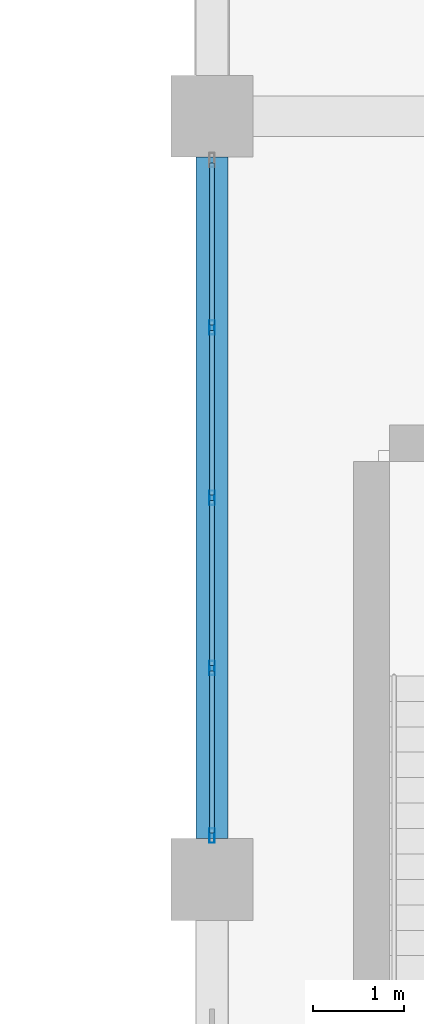
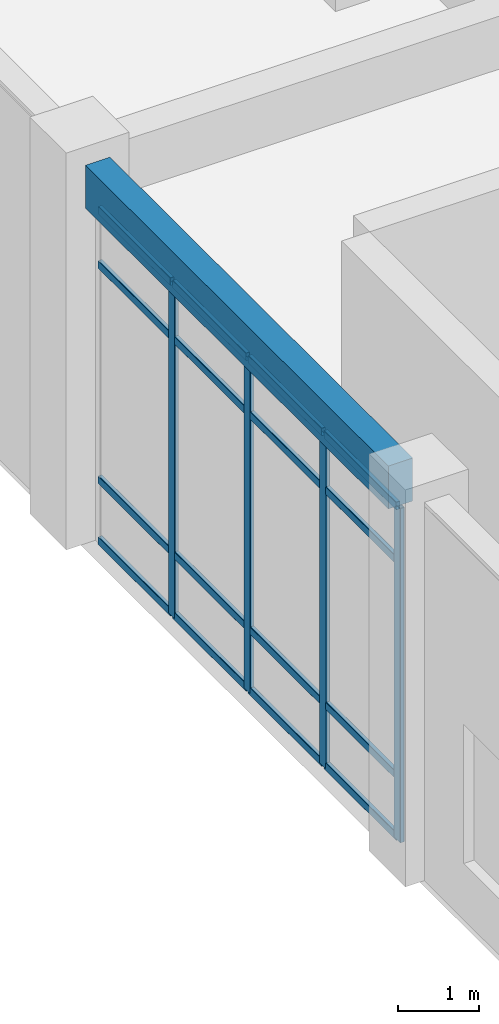
# One storey, part 14 of 82: 20 members, 1 beam, 1 element without a shape of its own.
"""IFC4 building model written with IfcOpenShell, lengths in metres."""

import ifcopenshell
import ifcopenshell.guid

model = None  # the IFC model being written
_history = None  # IfcOwnerHistory: only IFC2X3 demands one
_inside = {}  # id of a spatial element -> (the spatial element, [elements in it])
_under = {}  # id of a project, library or spatial element -> (it, [spatial elements below it])
_declared = {}  # id of a project -> (the project, [libraries it declares])
_typed = {}  # id of a type object -> (the type object, [elements of that type])
_made_of = {}  # id of a material, layer set ... -> (it, [elements and type objects made of it])


def new_model(schema):
    """Start an empty IFC model of exactly this schema.

    Asked for "IFC4X3", IfcOpenShell would pick the latest addendum, in which some entities
    have other attributes; the version numbers below select the first issue.
    IFC2X3 requires an IfcOwnerHistory on every rooted entity: one is made here for all.
    """
    global model, _history
    if schema == "IFC4X3":
        model = ifcopenshell.file(schema_version=(4, 3, 0, 0))
    else:
        model = ifcopenshell.file(schema=schema)
    _inside.clear()
    _under.clear()
    _declared.clear()
    _typed.clear()
    _made_of.clear()
    _history = None
    if model.schema == "IFC2X3":
        org = make("IfcOrganization", Name="unknown")
        user = make(
            "IfcPersonAndOrganization",
            ThePerson=make("IfcPerson", FamilyName="unknown"),
            TheOrganization=org,
        )
        app = make(
            "IfcApplication",
            ApplicationDeveloper=org,
            Version="unknown",
            ApplicationFullName="unknown",
            ApplicationIdentifier="unknown",
        )
        _history = make(
            "IfcOwnerHistory",
            OwningUser=user,
            OwningApplication=app,
            ChangeAction="ADDED",
            CreationDate=0,
        )
    return model


def make(cls, **values):
    """One entity of the class cls with the attributes given. An attribute that is None is left unset."""
    return model.create_entity(
        cls, **{name: value for name, value in values.items() if value is not None}
    )


def rooted(cls, **values):
    """An entity with a GlobalId (a new one), such as an element, a storey or a relation."""
    return make(cls, GlobalId=ifcopenshell.guid.new(), OwnerHistory=_history, **values)


def si_unit(unit_type, name, prefix=None):
    """IfcSIUnit, for example si_unit("LENGTHUNIT", "METRE", prefix="MILLI")."""
    return make("IfcSIUnit", UnitType=unit_type, Prefix=prefix, Name=name)


def derived_unit(unit_type, elements):
    """IfcDerivedUnit: a product of units, each with its exponent."""
    return make(
        "IfcDerivedUnit",
        Elements=[
            make("IfcDerivedUnitElement", Unit=unit, Exponent=power)
            for unit, power in elements
        ],
        UnitType=unit_type,
    )


def assignment(units):
    """IfcUnitAssignment: the units of a project."""
    return None if units is None else make("IfcUnitAssignment", Units=units)


def point(xyz):
    """IfcCartesianPoint."""
    return None if xyz is None else make("IfcCartesianPoint", Coordinates=xyz)


def direction(xyz):
    """IfcDirection."""
    return None if xyz is None else make("IfcDirection", DirectionRatios=xyz)


def frame(location, z_axis=None, x_axis=None):
    """IfcAxis2Placement3D, a coordinate frame: its origin and axes. An axis left out is left unset."""
    return make(
        "IfcAxis2Placement3D",
        Location=point(location),
        Axis=direction(z_axis),
        RefDirection=direction(x_axis),
    )


def frame_2d(location, x_axis=None):
    """IfcAxis2Placement2D, a coordinate frame in the plane: its origin and x axis."""
    return make(
        "IfcAxis2Placement2D", Location=point(location), RefDirection=direction(x_axis)
    )


def origin():
    """The frame at (0, 0, 0) with its axes left unset."""
    return frame((0.0, 0.0, 0.0))


def origin_2d():
    """The frame at (0, 0) in the plane with its x axis left unset."""
    return frame_2d((0.0, 0.0))


def place(relative_to, where):
    """IfcLocalPlacement: puts the frame where relative to a parent placement (None: the world)."""
    return make(
        "IfcLocalPlacement", PlacementRelTo=relative_to, RelativePlacement=where
    )


def context(
    kind, dimensions, precision=None, world=None, true_north=None, identifier=None
):
    """IfcGeometricRepresentationContext, for example the 3D "Model" context."""
    return make(
        "IfcGeometricRepresentationContext",
        ContextIdentifier=identifier,
        ContextType=kind,
        CoordinateSpaceDimension=dimensions,
        Precision=precision,
        WorldCoordinateSystem=world,
        TrueNorth=true_north,
    )


def subcontext(parent, identifier, kind, view, scale=None):
    """IfcGeometricRepresentationSubContext, for example "Body" below "Model"."""
    return make(
        "IfcGeometricRepresentationSubContext",
        ContextIdentifier=identifier,
        ContextType=kind,
        ParentContext=parent,
        TargetScale=scale,
        TargetView=view,
    )


def project(units=None, contexts=None):
    """IfcProject with its units and contexts."""
    return rooted(
        "IfcProject",
        Name="project",
        RepresentationContexts=contexts,
        UnitsInContext=assignment(units),
    )


def spatial(cls, under=None, at=None, **own):
    """A site, building, storey or space (cls), placed at a placement, below another one or the project."""
    s = rooted(cls, ObjectPlacement=at, **own)
    if under is not None:
        _under.setdefault(under.id(), (under, []))[1].append(s)
    return s


def profile(cls, at=None, kind="AREA", **sizes):
    """A parametric profile (cls). Its sizes go by their IFC names, for example OverallWidth=200.0."""
    return make(cls, ProfileType=kind, Position=at, **sizes)


def rectangle(**sizes):
    """IfcRectangleProfileDef."""
    return profile("IfcRectangleProfileDef", **sizes)


def hollow_rectangle(**sizes):
    """IfcRectangleHollowProfileDef."""
    return profile("IfcRectangleHollowProfileDef", **sizes)


def extrude(swept, where, along, depth):
    """IfcExtrudedAreaSolid: the profile swept, set in the frame where, extruded along a direction by depth."""
    return make(
        "IfcExtrudedAreaSolid",
        SweptArea=swept,
        Position=where,
        ExtrudedDirection=direction(along),
        Depth=depth,
    )


def shape(context_of_items, identifier, shape_type, items):
    """IfcShapeRepresentation: the items that make up one representation, for example the "Body"."""
    return make(
        "IfcShapeRepresentation",
        ContextOfItems=context_of_items,
        RepresentationIdentifier=identifier,
        RepresentationType=shape_type,
        Items=items,
    )


def material(Name=None, Category=None):
    """IfcMaterial."""
    return make("IfcMaterial", Name=Name, Category=Category)


def layer(
    of_material, thickness, ventilated=None, Name=None, Category=None, Priority=None
):
    """IfcMaterialLayer: one layer of a wall or slab, of a material (None: an air gap)."""
    return make(
        "IfcMaterialLayer",
        Material=of_material,
        LayerThickness=thickness,
        IsVentilated=ventilated,
        Name=Name,
        Category=Category,
        Priority=Priority,
    )


def layer_set(layers, Name=None):
    """IfcMaterialLayerSet."""
    return make("IfcMaterialLayerSet", MaterialLayers=layers, LayerSetName=Name)


def material_profile(
    of_material, cross_section, Name=None, Category=None, Priority=None
):
    """IfcMaterialProfile: a cross section and its material."""
    return make(
        "IfcMaterialProfile",
        Name=Name,
        Material=of_material,
        Profile=cross_section,
        Priority=Priority,
        Category=Category,
    )


def profile_set(profiles, Name=None, composite=None):
    """IfcMaterialProfileSet."""
    return make(
        "IfcMaterialProfileSet",
        Name=Name,
        MaterialProfiles=profiles,
        CompositeProfile=composite,
    )


def made_of(thing, what):
    """Note that an element or type object is made of a material, layer set ...; save() writes the relation."""
    if what is not None:
        _made_of.setdefault(what.id(), (what, []))[1].append(thing)
    return thing


def type_object(cls, material=None, **own):
    """A type object (cls), such as IfcWallType, which elements share."""
    return made_of(rooted(cls, **own), material)


def element(
    cls,
    number,
    at=None,
    inside=None,
    cuts=None,
    type_object=None,
    material=None,
    context=None,
    identifier="Body",
    shape_type=None,
    held_by="IfcProductDefinitionShape",
    body=None,
    shapes=None,
    **own,
):
    """One element of the class cls, such as IfcWall. Its Tag is "e" and its number.

    at: its placement. inside: the storey or other place that contains it. cuts: it is an
    opening in that element (IfcRelVoidsElement). A single representation is given by context,
    identifier, shape_type and body (its items); several are given by shapes. held_by: the class
    of the entity that holds the representations. save() writes the other relations.
    """
    e = rooted(cls, Tag="e%d" % number, ObjectPlacement=at, **own)
    if body is not None:
        shapes = [shape(context, identifier, shape_type, body)]
    if shapes is not None:
        e.Representation = make(held_by, Representations=shapes)
    if inside is not None:
        _inside.setdefault(inside.id(), (inside, []))[1].append(e)
    if cuts is not None:
        rooted(
            "IfcRelVoidsElement", RelatingBuildingElement=cuts, RelatedOpeningElement=e
        )
    if type_object is not None:
        _typed.setdefault(type_object.id(), (type_object, []))[1].append(e)
    return made_of(e, material)


def aggregate(whole, parts):
    """IfcRelAggregates: a whole, such as a stair, and the parts it consists of."""
    return rooted("IfcRelAggregates", RelatingObject=whole, RelatedObjects=parts)


def save(model, path):
    """Write the relations noted so far, then the file.

    IfcRelAggregates (storeys below a building ...), IfcRelContainedInSpatialStructure (elements
    in a storey), IfcRelDefinesByType, IfcRelAssociatesMaterial and IfcRelDeclares: one each for
    every whole, place, type object, material and project.
    """
    for whole, parts in _under.values():
        aggregate(whole, parts)
    for where, things in _inside.values():
        rooted(
            "IfcRelContainedInSpatialStructure",
            RelatedElements=things,
            RelatingStructure=where,
        )
    for kind, things in _typed.values():
        rooted("IfcRelDefinesByType", RelatedObjects=things, RelatingType=kind)
    for what, things in _made_of.values():
        rooted("IfcRelAssociatesMaterial", RelatedObjects=things, RelatingMaterial=what)
    for by, libraries in _declared.values():
        rooted("IfcRelDeclares", RelatingContext=by, RelatedDefinitions=libraries)
    model.write(path)


model = new_model("IFC4")

# Units and contexts
model_context = context("Model", 3, precision=1e-05, world=origin(), true_north=direction((0.0, 1.0)))
body_context = subcontext(model_context, "Body", "Model", "MODEL_VIEW")
ifc_project = project(units=[si_unit("LENGTHUNIT", "METRE"), si_unit("AREAUNIT", "SQUARE_METRE"), si_unit("VOLUMEUNIT", "CUBIC_METRE"), si_unit("PLANEANGLEUNIT", "RADIAN"), si_unit("MASSUNIT", "GRAM", prefix="KILO"), derived_unit("THERMALTRANSMITTANCEUNIT", [(si_unit("MASSUNIT", "GRAM", prefix="KILO"), 1), (si_unit("TIMEUNIT", "SECOND"), -3), (si_unit("THERMODYNAMICTEMPERATUREUNIT", "KELVIN"), -1)])], contexts=[model_context])

# Site, building, storey
site_placement = place(None, origin())
site = spatial("IfcSite", under=ifc_project, at=site_placement, CompositionType="ELEMENT")
building_placement = place(site_placement, origin())
building = spatial("IfcBuilding", under=site, at=building_placement, Name="Qinzheling Arcade Emporium", CompositionType="ELEMENT")
storey_placement = place(building_placement, origin())
storey = spatial("IfcBuildingStorey", under=building, at=storey_placement, Name="L01", CompositionType="ELEMENT", Elevation=0.0)

# Curtain wall, members
ifc_material_1 = material(Name="Anodised aluminium and solar-control double glazing", Category="aluminium")
ifc_layer = layer(ifc_material_1, 0.159912109375, Name="Anodised aluminium and solar-control double glazing", Category="aluminium")
ifc_layer_set = layer_set([ifc_layer], Name="Anodised aluminium and solar-control double glazing")
curtain_wall_type = type_object("IfcCurtainWallType", Name="Street Arcade Stick Curtain Wall", PredefinedType="NOTDEFINED", material=ifc_layer_set)
curtain_wall_placement = place(storey_placement, origin())
curtain_wall = element("IfcCurtainWall", 1, at=curtain_wall_placement, inside=storey, type_object=curtain_wall_type, Name="Curtain Wall CW-L01-010", PredefinedType="NOTDEFINED")
ifc_material_2 = material(Name="Anodised aluminium 6063-T6", Category="aluminium")
ifc_material_profile_1 = material_profile(ifc_material_2, hollow_rectangle(XDim=0.06005859375, YDim=0.159912109375, WallThickness=0.00390625, InnerFilletRadius=0.00390625, OuterFilletRadius=0.008056640625, at=origin_2d()), Name="RHS 160x60x4", Category="aluminium")
ifc_profile_set_1 = profile_set([ifc_material_profile_1], Name="Anodised aluminium 6063-T6")
member_type_1 = type_object("IfcMemberType", Name="Curtain Wall Mullion RHS160x60", PredefinedType="MULLION", material=ifc_profile_set_1)
member_1_placement = place(storey_placement, frame((104.39990234375, 8.882080078125, 0.0), z_axis=(0.0, 0.0, 1.0), x_axis=(-1.0, 0.0, 0.0)))
member_1 = element("IfcMember", 2, at=member_1_placement, type_object=member_type_1, Name="CW01 mullion 1", PredefinedType="MULLION", context=body_context, shape_type="SweptSolid", body=[
    extrude(hollow_rectangle(XDim=0.06005859375, YDim=0.159912109375, WallThickness=0.00390625, InnerFilletRadius=0.00390625, OuterFilletRadius=0.008056640625, at=origin_2d()), origin(), (0.0, 0.0, 1.0), 5.054931640625),
])
member_2_placement = place(storey_placement, frame((104.39990234375, 10.72607421875, 0.0), z_axis=(0.0, 0.0, 1.0), x_axis=(-1.0, 0.0, 0.0)))
member_2 = element("IfcMember", 3, at=member_2_placement, type_object=member_type_1, Name="CW01 mullion 2", PredefinedType="MULLION", context=body_context, shape_type="SweptSolid", body=[
    extrude(hollow_rectangle(XDim=0.06005859375, YDim=0.159912109375, WallThickness=0.00390625, InnerFilletRadius=0.00390625, OuterFilletRadius=0.008056640625, at=origin_2d()), origin(), (0.0, 0.0, 1.0), 5.054931640625),
])
member_3_placement = place(storey_placement, frame((104.39990234375, 12.60009765625, 0.0), z_axis=(0.0, 0.0, 1.0), x_axis=(-1.0, 0.0, 0.0)))
member_3 = element("IfcMember", 4, at=member_3_placement, type_object=member_type_1, Name="CW01 mullion 3", PredefinedType="MULLION", context=body_context, shape_type="SweptSolid", body=[
    extrude(hollow_rectangle(XDim=0.06005859375, YDim=0.159912109375, WallThickness=0.00390625, InnerFilletRadius=0.00390625, OuterFilletRadius=0.008056640625, at=origin_2d()), origin(), (0.0, 0.0, 1.0), 5.054931640625),
])
member_4_placement = place(storey_placement, frame((104.39990234375, 14.47412109375, 0.0), z_axis=(0.0, 0.0, 1.0), x_axis=(-1.0, 0.0, 0.0)))
member_4 = element("IfcMember", 5, at=member_4_placement, type_object=member_type_1, Name="CW01 mullion 4", PredefinedType="MULLION", context=body_context, shape_type="SweptSolid", body=[
    extrude(hollow_rectangle(XDim=0.06005859375, YDim=0.159912109375, WallThickness=0.00390625, InnerFilletRadius=0.00390625, OuterFilletRadius=0.008056640625, at=origin_2d()), origin(), (0.0, 0.0, 1.0), 5.054931640625),
])
ifc_material_profile_2 = material_profile(ifc_material_2, hollow_rectangle(XDim=0.06005859375, YDim=0.1201171875, WallThickness=0.00390625, InnerFilletRadius=0.00390625, OuterFilletRadius=0.008056640625, at=origin_2d()), Name="RHS 120x60x4", Category="aluminium")
ifc_profile_set_2 = profile_set([ifc_material_profile_2], Name="Anodised aluminium 6063-T6")
member_type_2 = type_object("IfcMemberType", Name="Curtain Wall Transom RHS120x60", PredefinedType="USERDEFINED", material=ifc_profile_set_2)
member_5_placement = place(storey_placement, frame((104.39990234375, 8.912109375, 0.030029296875), z_axis=(0.0, 1.0, 0.0), x_axis=(-1.0, 0.0, 0.0)))
member_5 = element("IfcMember", 6, at=member_5_placement, type_object=member_type_2, Name="CW01 transom 1.1", ObjectType="TRANSOM", PredefinedType="USERDEFINED", context=body_context, shape_type="SweptSolid", body=[
    extrude(hollow_rectangle(XDim=0.06005859375, YDim=0.1201171875, WallThickness=0.00390625, InnerFilletRadius=0.00390625, OuterFilletRadius=0.008056640625, at=origin_2d()), origin(), (0.0, 0.0, 1.0), 1.783935546875),
])
member_6_placement = place(storey_placement, frame((104.39990234375, 8.912109375, 0.949951171875), z_axis=(0.0, 1.0, 0.0), x_axis=(-1.0, 0.0, 0.0)))
member_6 = element("IfcMember", 7, at=member_6_placement, type_object=member_type_2, Name="CW01 transom 1.2", ObjectType="TRANSOM", PredefinedType="USERDEFINED", context=body_context, shape_type="SweptSolid", body=[
    extrude(hollow_rectangle(XDim=0.06005859375, YDim=0.1201171875, WallThickness=0.00390625, InnerFilletRadius=0.00390625, OuterFilletRadius=0.008056640625, at=origin_2d()), origin(), (0.0, 0.0, 1.0), 1.783935546875),
])
member_7_placement = place(storey_placement, frame((104.39990234375, 8.912109375, 4.205078125), z_axis=(0.0, 1.0, 0.0), x_axis=(-1.0, 0.0, 0.0)))
member_7 = element("IfcMember", 8, at=member_7_placement, type_object=member_type_2, Name="CW01 transom 1.3", ObjectType="TRANSOM", PredefinedType="USERDEFINED", context=body_context, shape_type="SweptSolid", body=[
    extrude(hollow_rectangle(XDim=0.06005859375, YDim=0.1201171875, WallThickness=0.00390625, InnerFilletRadius=0.00390625, OuterFilletRadius=0.008056640625, at=origin_2d()), origin(), (0.0, 0.0, 1.0), 1.783935546875),
])
member_8_placement = place(storey_placement, frame((104.39990234375, 8.912109375, 5.02490234375), z_axis=(0.0, 1.0, 0.0), x_axis=(-1.0, 0.0, 0.0)))
member_8 = element("IfcMember", 9, at=member_8_placement, type_object=member_type_2, Name="CW01 transom 1.4", ObjectType="TRANSOM", PredefinedType="USERDEFINED", context=body_context, shape_type="SweptSolid", body=[
    extrude(hollow_rectangle(XDim=0.06005859375, YDim=0.1201171875, WallThickness=0.00390625, InnerFilletRadius=0.00390625, OuterFilletRadius=0.008056640625, at=origin_2d()), origin(), (0.0, 0.0, 1.0), 1.783935546875),
])
member_9_placement = place(storey_placement, frame((104.39990234375, 10.756103515625, 0.030029296875), z_axis=(0.0, 1.0, 0.0), x_axis=(-1.0, 0.0, 0.0)))
member_9 = element("IfcMember", 10, at=member_9_placement, type_object=member_type_2, Name="CW01 transom 2.1", ObjectType="TRANSOM", PredefinedType="USERDEFINED", context=body_context, shape_type="SweptSolid", body=[
    extrude(hollow_rectangle(XDim=0.06005859375, YDim=0.1201171875, WallThickness=0.00390625, InnerFilletRadius=0.00390625, OuterFilletRadius=0.008056640625, at=origin_2d()), origin(), (0.0, 0.0, 1.0), 1.81396484375),
])
member_10_placement = place(storey_placement, frame((104.39990234375, 10.756103515625, 0.949951171875), z_axis=(0.0, 1.0, 0.0), x_axis=(-1.0, 0.0, 0.0)))
member_10 = element("IfcMember", 11, at=member_10_placement, type_object=member_type_2, Name="CW01 transom 2.2", ObjectType="TRANSOM", PredefinedType="USERDEFINED", context=body_context, shape_type="SweptSolid", body=[
    extrude(hollow_rectangle(XDim=0.06005859375, YDim=0.1201171875, WallThickness=0.00390625, InnerFilletRadius=0.00390625, OuterFilletRadius=0.008056640625, at=origin_2d()), origin(), (0.0, 0.0, 1.0), 1.81396484375),
])
member_11_placement = place(storey_placement, frame((104.39990234375, 10.756103515625, 4.205078125), z_axis=(0.0, 1.0, 0.0), x_axis=(-1.0, 0.0, 0.0)))
member_11 = element("IfcMember", 12, at=member_11_placement, type_object=member_type_2, Name="CW01 transom 2.3", ObjectType="TRANSOM", PredefinedType="USERDEFINED", context=body_context, shape_type="SweptSolid", body=[
    extrude(hollow_rectangle(XDim=0.06005859375, YDim=0.1201171875, WallThickness=0.00390625, InnerFilletRadius=0.00390625, OuterFilletRadius=0.008056640625, at=origin_2d()), origin(), (0.0, 0.0, 1.0), 1.81396484375),
])
member_12_placement = place(storey_placement, frame((104.39990234375, 10.756103515625, 5.02490234375), z_axis=(0.0, 1.0, 0.0), x_axis=(-1.0, 0.0, 0.0)))
member_12 = element("IfcMember", 13, at=member_12_placement, type_object=member_type_2, Name="CW01 transom 2.4", ObjectType="TRANSOM", PredefinedType="USERDEFINED", context=body_context, shape_type="SweptSolid", body=[
    extrude(hollow_rectangle(XDim=0.06005859375, YDim=0.1201171875, WallThickness=0.00390625, InnerFilletRadius=0.00390625, OuterFilletRadius=0.008056640625, at=origin_2d()), origin(), (0.0, 0.0, 1.0), 1.81396484375),
])
member_13_placement = place(storey_placement, frame((104.39990234375, 12.6298828125, 0.030029296875), z_axis=(0.0, 1.0, 0.0), x_axis=(-1.0, 0.0, 0.0)))
member_13 = element("IfcMember", 14, at=member_13_placement, type_object=member_type_2, Name="CW01 transom 3.1", ObjectType="TRANSOM", PredefinedType="USERDEFINED", context=body_context, shape_type="SweptSolid", body=[
    extrude(hollow_rectangle(XDim=0.06005859375, YDim=0.1201171875, WallThickness=0.00390625, InnerFilletRadius=0.00390625, OuterFilletRadius=0.008056640625, at=origin_2d()), origin(), (0.0, 0.0, 1.0), 1.814208984375),
])
member_14_placement = place(storey_placement, frame((104.39990234375, 12.6298828125, 0.949951171875), z_axis=(0.0, 1.0, 0.0), x_axis=(-1.0, 0.0, 0.0)))
member_14 = element("IfcMember", 15, at=member_14_placement, type_object=member_type_2, Name="CW01 transom 3.2", ObjectType="TRANSOM", PredefinedType="USERDEFINED", context=body_context, shape_type="SweptSolid", body=[
    extrude(hollow_rectangle(XDim=0.06005859375, YDim=0.1201171875, WallThickness=0.00390625, InnerFilletRadius=0.00390625, OuterFilletRadius=0.008056640625, at=origin_2d()), origin(), (0.0, 0.0, 1.0), 1.814208984375),
])
member_15_placement = place(storey_placement, frame((104.39990234375, 12.6298828125, 4.205078125), z_axis=(0.0, 1.0, 0.0), x_axis=(-1.0, 0.0, 0.0)))
member_15 = element("IfcMember", 16, at=member_15_placement, type_object=member_type_2, Name="CW01 transom 3.3", ObjectType="TRANSOM", PredefinedType="USERDEFINED", context=body_context, shape_type="SweptSolid", body=[
    extrude(hollow_rectangle(XDim=0.06005859375, YDim=0.1201171875, WallThickness=0.00390625, InnerFilletRadius=0.00390625, OuterFilletRadius=0.008056640625, at=origin_2d()), origin(), (0.0, 0.0, 1.0), 1.814208984375),
])
member_16_placement = place(storey_placement, frame((104.39990234375, 12.6298828125, 5.02490234375), z_axis=(0.0, 1.0, 0.0), x_axis=(-1.0, 0.0, 0.0)))
member_16 = element("IfcMember", 17, at=member_16_placement, type_object=member_type_2, Name="CW01 transom 3.4", ObjectType="TRANSOM", PredefinedType="USERDEFINED", context=body_context, shape_type="SweptSolid", body=[
    extrude(hollow_rectangle(XDim=0.06005859375, YDim=0.1201171875, WallThickness=0.00390625, InnerFilletRadius=0.00390625, OuterFilletRadius=0.008056640625, at=origin_2d()), origin(), (0.0, 0.0, 1.0), 1.814208984375),
])
member_17_placement = place(storey_placement, frame((104.39990234375, 14.50390625, 0.030029296875), z_axis=(0.0, 1.0, 0.0), x_axis=(-1.0, 0.0, 0.0)))
member_17 = element("IfcMember", 18, at=member_17_placement, type_object=member_type_2, Name="CW01 transom 4.1", ObjectType="TRANSOM", PredefinedType="USERDEFINED", context=body_context, shape_type="SweptSolid", body=[
    extrude(hollow_rectangle(XDim=0.06005859375, YDim=0.1201171875, WallThickness=0.00390625, InnerFilletRadius=0.00390625, OuterFilletRadius=0.008056640625, at=origin_2d()), origin(), (0.0, 0.0, 1.0), 1.7841796875),
])
member_18_placement = place(storey_placement, frame((104.39990234375, 14.50390625, 0.949951171875), z_axis=(0.0, 1.0, 0.0), x_axis=(-1.0, 0.0, 0.0)))
member_18 = element("IfcMember", 19, at=member_18_placement, type_object=member_type_2, Name="CW01 transom 4.2", ObjectType="TRANSOM", PredefinedType="USERDEFINED", context=body_context, shape_type="SweptSolid", body=[
    extrude(hollow_rectangle(XDim=0.06005859375, YDim=0.1201171875, WallThickness=0.00390625, InnerFilletRadius=0.00390625, OuterFilletRadius=0.008056640625, at=origin_2d()), origin(), (0.0, 0.0, 1.0), 1.7841796875),
])
member_19_placement = place(storey_placement, frame((104.39990234375, 14.50390625, 4.205078125), z_axis=(0.0, 1.0, 0.0), x_axis=(-1.0, 0.0, 0.0)))
member_19 = element("IfcMember", 20, at=member_19_placement, type_object=member_type_2, Name="CW01 transom 4.3", ObjectType="TRANSOM", PredefinedType="USERDEFINED", context=body_context, shape_type="SweptSolid", body=[
    extrude(hollow_rectangle(XDim=0.06005859375, YDim=0.1201171875, WallThickness=0.00390625, InnerFilletRadius=0.00390625, OuterFilletRadius=0.008056640625, at=origin_2d()), origin(), (0.0, 0.0, 1.0), 1.7841796875),
])
member_20_placement = place(storey_placement, frame((104.39990234375, 14.50390625, 5.02490234375), z_axis=(0.0, 1.0, 0.0), x_axis=(-1.0, 0.0, 0.0)))
member_20 = element("IfcMember", 21, at=member_20_placement, type_object=member_type_2, Name="CW01 transom 4.4", ObjectType="TRANSOM", PredefinedType="USERDEFINED", context=body_context, shape_type="SweptSolid", body=[
    extrude(hollow_rectangle(XDim=0.06005859375, YDim=0.1201171875, WallThickness=0.00390625, InnerFilletRadius=0.00390625, OuterFilletRadius=0.008056640625, at=origin_2d()), origin(), (0.0, 0.0, 1.0), 1.7841796875),
])
aggregate(curtain_wall, [member_1, member_2, member_3, member_4, member_5, member_6, member_7, member_8, member_9, member_10, member_11, member_12, member_13, member_14, member_15, member_16, member_17, member_18, member_19, member_20])

# Beam
ifc_material_3 = material(Name="Concrete C40", Category="concrete")
ifc_material_profile_3 = material_profile(ifc_material_3, rectangle(XDim=0.35009765625, YDim=0.64990234375, at=origin_2d()), Name="RC 350x650", Category="concrete")
ifc_profile_set_3 = profile_set([ifc_material_profile_3], Name="Concrete C40")
beam_type = type_object("IfcBeamType", Name="RC Spandrel Edge Beam 350x650 C40", PredefinedType="SPANDREL", material=ifc_profile_set_3)
beam_placement = place(storey_placement, frame((104.39990234375, 8.85009765625, 5.39501953125), z_axis=(0.0, 1.0, 0.0), x_axis=(-1.0, 0.0, 0.0)))
element("IfcBeam", 22, at=beam_placement, inside=storey, type_object=beam_type, Name="Beam BM-L01-Y-13-B", PredefinedType="SPANDREL", context=body_context, shape_type="SweptSolid", body=[
    extrude(rectangle(XDim=0.35009765625, YDim=0.64990234375, at=origin_2d()), origin(), (0.0, 0.0, 1.0), 7.5),
])

save(model, "model.ifc")
